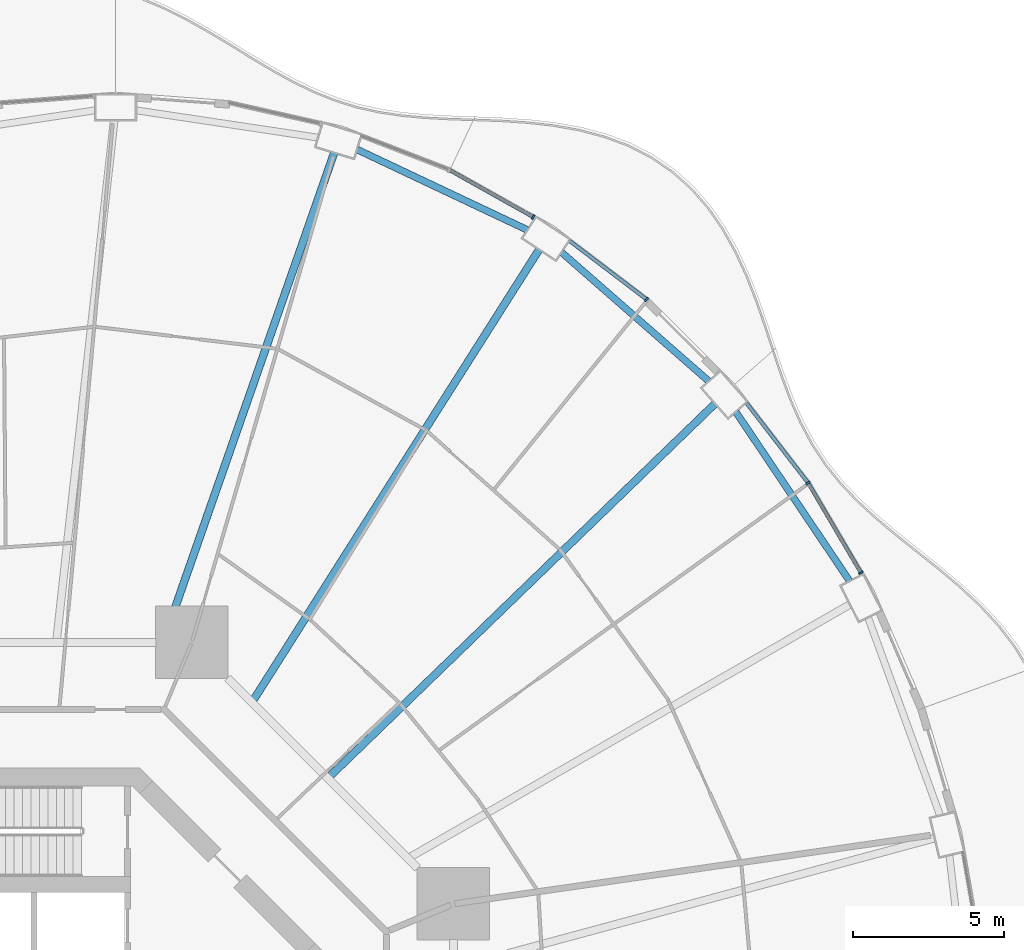
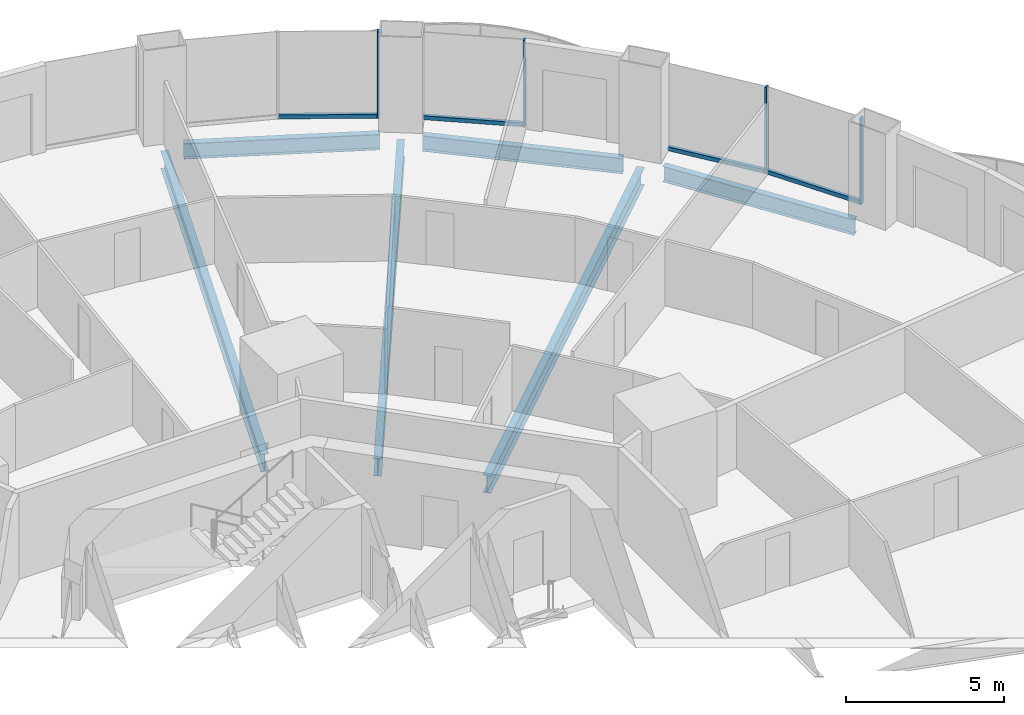
# One storey, part 10 of 22: 8 members, 6 beams, 4 elements without a shape of their own.
"""IFC4 building model written with IfcOpenShell, lengths in metres."""

from ifc_helpers import new_model, si_unit, direction, frame, origin, origin_2d, place, context, subcontext, project, spatial, rectangle, i_section, extrude, material, layer, layer_set, material_profile, profile_set, type_object, element, aggregate, save


model = new_model("IFC4")

# Units and contexts
model_context = context("Model", 3, precision=1e-05, world=origin(), true_north=direction((0.0, 1.0)))
body_context = subcontext(model_context, "Body", "Model", "MODEL_VIEW")
ifc_project = project(units=[si_unit("LENGTHUNIT", "METRE"), si_unit("AREAUNIT", "SQUARE_METRE"), si_unit("VOLUMEUNIT", "CUBIC_METRE"), si_unit("PLANEANGLEUNIT", "RADIAN"), si_unit("MASSUNIT", "GRAM", prefix="KILO")], contexts=[model_context])

# Site, building, storey
site_placement = place(None, origin())
site = spatial("IfcSite", under=ifc_project, at=site_placement, CompositionType="ELEMENT")
building_placement = place(site_placement, origin())
building = spatial("IfcBuilding", under=site, at=building_placement, Name="Nagisa Residences", CompositionType="ELEMENT")
storey_placement = place(building_placement, frame((0.0, 0.0, 64.0)))
storey = spatial("IfcBuildingStorey", under=building, at=storey_placement, Name="L15", CompositionType="ELEMENT", Elevation=64.0)

# Curtain wall, member
ifc_material_1 = material(Name="Concrete-coloured aluminium curtain wall system", Category="concrete")
ifc_layer = layer(ifc_material_1, 0.159912109375)
ifc_layer_set = layer_set([ifc_layer], Name="CW1 CURTAIN WALL")
curtain_wall_type = type_object("IfcCurtainWallType", Name="CW1 CURTAIN WALL", PredefinedType="NOTDEFINED", material=ifc_layer_set)
curtain_wall_1_placement = place(storey_placement, origin())
curtain_wall_1 = element("IfcCurtainWall", 1, at=curtain_wall_1_placement, inside=storey, type_object=curtain_wall_type, Name="cw:CW1:L15:04", PredefinedType="NOTDEFINED")
ifc_material_2 = material(Name="Concrete-coloured aluminium", Category="concrete")
ifc_material_profile_1 = material_profile(ifc_material_2, rectangle(XDim=0.159912109375, YDim=0.06005859375, at=origin_2d()), Name="CW1 MULLION 160x60")
ifc_profile_set_1 = profile_set([ifc_material_profile_1], Name="Concrete-coloured aluminium")
member_type_1 = type_object("IfcMemberType", Name="CW1 MULLION 160x60", PredefinedType="MULLION", material=ifc_profile_set_1)
member_1_placement = place(storey_placement, frame((28.276123046875, 17.089111328125, 0.0), z_axis=(0.0, 0.0, 1.0), x_axis=(-0.862328898214, -0.506348567002, 0.0)))
member_1 = element("IfcMember", 2, at=member_1_placement, type_object=member_type_1, Name="CW1 mullion", PredefinedType="MULLION", context=body_context, shape_type="SweptSolid", body=[
    extrude(rectangle(XDim=0.159912109375, YDim=0.06005859375, at=origin_2d()), origin(), (0.0, 0.0, 1.0), 3.35009765625),
])

curtain_wall_2_placement = place(storey_placement, origin())
curtain_wall_2 = element("IfcCurtainWall", 3, at=curtain_wall_2_placement, inside=storey, type_object=curtain_wall_type, Name="cw:CW1:L15:05", PredefinedType="NOTDEFINED")
member_2_placement = place(storey_placement, frame((26.525634765625, 20.06396484375, 0.0), z_axis=(0.0, 0.0, 1.0), x_axis=(-0.792070340816, -0.610429828235, 0.0)))
member_2 = element("IfcMember", 4, at=member_2_placement, type_object=member_type_1, Name="CW1 mullion", PredefinedType="MULLION", context=body_context, shape_type="SweptSolid", body=[
    extrude(rectangle(XDim=0.159912109375, YDim=0.06005859375, at=origin_2d()), origin(), (0.0, 0.0, 1.0), 3.35009765625),
])

curtain_wall_3_placement = place(storey_placement, origin())
curtain_wall_3 = element("IfcCurtainWall", 5, at=curtain_wall_3_placement, inside=storey, type_object=curtain_wall_type, Name="cw:CW1:L15:07", PredefinedType="NOTDEFINED")
member_3_placement = place(storey_placement, frame((21.181884765625, 26.13525390625, 0.0), z_axis=(0.0, 0.0, 1.0), x_axis=(-0.605255421737, -0.79603132756, 0.0)))
member_3 = element("IfcMember", 6, at=member_3_placement, type_object=member_type_1, Name="CW1 mullion", PredefinedType="MULLION", context=body_context, shape_type="SweptSolid", body=[
    extrude(rectangle(XDim=0.159912109375, YDim=0.06005859375, at=origin_2d()), origin(), (0.0, 0.0, 1.0), 3.35009765625),
])

curtain_wall_4_placement = place(storey_placement, origin())
curtain_wall_4 = element("IfcCurtainWall", 7, at=curtain_wall_4_placement, inside=storey, type_object=curtain_wall_type, Name="cw:CW1:L15:08", PredefinedType="NOTDEFINED")
member_4_placement = place(storey_placement, frame((17.42431640625, 28.8662109375, 0.0), z_axis=(0.0, 0.0, 1.0), x_axis=(-0.489376918501, -0.872072377523, 0.0)))
member_4 = element("IfcMember", 8, at=member_4_placement, type_object=member_type_1, Name="CW1 mullion", PredefinedType="MULLION", context=body_context, shape_type="SweptSolid", body=[
    extrude(rectangle(XDim=0.159912109375, YDim=0.06005859375, at=origin_2d()), origin(), (0.0, 0.0, 1.0), 3.35009765625),
])

# Member
ifc_material_3 = material(Name="Concrete-coloured aluminium", Category="concrete")
ifc_material_profile_2 = material_profile(ifc_material_3, rectangle(XDim=0.1201171875, YDim=0.14990234375, at=origin_2d()), Name="CW1 TRANSOM 120x150")
ifc_profile_set_2 = profile_set([ifc_material_profile_2], Name="Concrete-coloured aluminium")
member_type_2 = type_object("IfcMemberType", Name="CW1 TRANSOM 120x150", PredefinedType="USERDEFINED", material=ifc_profile_set_2)
member_5_placement = place(storey_placement, frame((28.291259765625, 17.063232421875, 0.074951171875), z_axis=(-0.506341951316, 0.862332782827, 0.0), x_axis=(-0.862332782827, -0.506341951316, 0.0)))
member_5 = element("IfcMember", 9, at=member_5_placement, type_object=member_type_2, Name="CW1 transom", ObjectType="TRANSOM", PredefinedType="USERDEFINED", context=body_context, shape_type="SweptSolid", body=[
    extrude(rectangle(XDim=0.1201171875, YDim=0.14990234375, at=origin_2d()), origin(), (0.0, 0.0, 1.0), 3.4619140625),
])

aggregate(curtain_wall_1, [member_1, member_5])

member_6_placement = place(storey_placement, frame((26.5439453125, 20.040283203125, 0.074951171875), z_axis=(-0.610457147657, 0.792049285635, 0.0), x_axis=(-0.792049285635, -0.610457147657, 0.0)))
member_6 = element("IfcMember", 10, at=member_6_placement, type_object=member_type_2, Name="CW1 transom", ObjectType="TRANSOM", PredefinedType="USERDEFINED", context=body_context, shape_type="SweptSolid", body=[
    extrude(rectangle(XDim=0.1201171875, YDim=0.14990234375, at=origin_2d()), origin(), (0.0, 0.0, 1.0), 3.3974609375),
])

aggregate(curtain_wall_2, [member_2, member_6])

member_7_placement = place(storey_placement, frame((21.20556640625, 26.116943359375, 0.074951171875), z_axis=(-0.79599487499, 0.605303361125, 0.0), x_axis=(-0.605303361125, -0.79599487499, 0.0)))
member_7 = element("IfcMember", 11, at=member_7_placement, type_object=member_type_2, Name="CW1 transom", ObjectType="TRANSOM", PredefinedType="USERDEFINED", context=body_context, shape_type="SweptSolid", body=[
    extrude(rectangle(XDim=0.1201171875, YDim=0.14990234375, at=origin_2d()), origin(), (0.0, 0.0, 1.0), 3.26220703125),
])

aggregate(curtain_wall_3, [member_3, member_7])

member_8_placement = place(storey_placement, frame((17.450439453125, 28.8515625, 0.074951171875), z_axis=(-0.872070011948, 0.489381133946, 0.0), x_axis=(-0.489381133946, -0.872070011948, 0.0)))
member_8 = element("IfcMember", 12, at=member_8_placement, type_object=member_type_2, Name="CW1 transom", ObjectType="TRANSOM", PredefinedType="USERDEFINED", context=body_context, shape_type="SweptSolid", body=[
    extrude(rectangle(XDim=0.1201171875, YDim=0.14990234375, at=origin_2d()), origin(), (0.0, 0.0, 1.0), 3.201171875),
])

aggregate(curtain_wall_4, [member_4, member_8])

# Beams
ifc_material_4 = material(Name="Steel ASTM A572 Gr 50", Category="steel")
ifc_material_profile_3 = material_profile(ifc_material_4, i_section(OverallWidth=0.22802734375, OverallDepth=0.60302734375, WebThickness=0.010498046875, FlangeThickness=0.014892578125, at=origin_2d()), Name="W610x101")
ifc_profile_set_3 = profile_set([ifc_material_profile_3], Name="Steel ASTM A572 Gr 50")
beam_type_1 = type_object("IfcBeamType", Name="Perimeter ring beam W610x101", PredefinedType="BEAM", material=ifc_profile_set_3)
beam_1_placement = place(storey_placement, frame((27.899169921875, 16.818603515625, -0.5615234375), z_axis=(-0.558271879663, 0.829658067144, 0.0), x_axis=(-0.829658067144, -0.558271879663, 0.0)))
element("IfcBeam", 13, at=beam_1_placement, inside=storey, type_object=beam_type_1, Name="beam:L15:pb03", PredefinedType="BEAM", context=body_context, shape_type="SweptSolid", body=[
    extrude(i_section(OverallWidth=0.22802734375, OverallDepth=0.60302734375, WebThickness=0.010498046875, FlangeThickness=0.014892578125, at=origin_2d()), origin(), (0.0, 0.0, 1.0), 6.74169921875),
])
beam_2_placement = place(storey_placement, frame((23.236328125, 23.432861328125, -0.5615234375), z_axis=(-0.7525907186, 0.658488580217, 0.0), x_axis=(-0.658488580217, -0.7525907186, 0.0)))
element("IfcBeam", 14, at=beam_2_placement, inside=storey, type_object=beam_type_1, Name="beam:L15:pb04", PredefinedType="BEAM", context=body_context, shape_type="SweptSolid", body=[
    extrude(i_section(OverallWidth=0.22802734375, OverallDepth=0.60302734375, WebThickness=0.010498046875, FlangeThickness=0.014892578125, at=origin_2d()), origin(), (0.0, 0.0, 1.0), 6.470458984375),
])
beam_3_placement = place(storey_placement, frame((17.22900390625, 28.439208984375, -0.5615234375), z_axis=(-0.904215426643, 0.427076646774, 0.0), x_axis=(-0.427076646774, -0.904215426643, 0.0)))
element("IfcBeam", 15, at=beam_3_placement, inside=storey, type_object=beam_type_1, Name="beam:L15:pb05", PredefinedType="BEAM", context=body_context, shape_type="SweptSolid", body=[
    extrude(i_section(OverallWidth=0.22802734375, OverallDepth=0.60302734375, WebThickness=0.010498046875, FlangeThickness=0.014892578125, at=origin_2d()), origin(), (0.0, 0.0, 1.0), 6.2275390625),
])
ifc_material_5 = material(Name="Steel ASTM A572 Gr 50", Category="steel")
ifc_material_profile_4 = material_profile(ifc_material_5, i_section(OverallWidth=0.25390625, OverallDepth=0.68408203125, WebThickness=0.012451171875, FlangeThickness=0.018798828125, at=origin_2d()), Name="W690x140")
ifc_profile_set_4 = profile_set([ifc_material_profile_4], Name="Steel ASTM A572 Gr 50")
beam_type_2 = type_object("IfcBeamType", Name="Radial beam W690x140", PredefinedType="BEAM", material=ifc_profile_set_4)
beam_4_placement = place(storey_placement, frame((23.443115234375, 22.681640625, -0.60205078125), z_axis=(-0.718678305776, -0.695342716081, 0.0), x_axis=(0.695342716081, -0.718678305776, 0.0)))
element("IfcBeam", 16, at=beam_4_placement, inside=storey, type_object=beam_type_2, Name="beam:L15:rb04", PredefinedType="BEAM", context=body_context, shape_type="SweptSolid", body=[
    extrude(i_section(OverallWidth=0.25390625, OverallDepth=0.68408203125, WebThickness=0.012451171875, FlangeThickness=0.018798828125, at=origin_2d()), origin(), (0.0, 0.0, 1.0), 17.722900390625),
])
beam_5_placement = place(storey_placement, frame((17.61962890625, 27.78271484375, -0.60205078125), z_axis=(-0.53556610664, -0.844493306911, 0.0), x_axis=(0.844493306911, -0.53556610664, 0.0)))
element("IfcBeam", 17, at=beam_5_placement, inside=storey, type_object=beam_type_2, Name="beam:L15:rb05", PredefinedType="BEAM", context=body_context, shape_type="SweptSolid", body=[
    extrude(i_section(OverallWidth=0.25390625, OverallDepth=0.68408203125, WebThickness=0.012451171875, FlangeThickness=0.018798828125, at=origin_2d()), origin(), (0.0, 0.0, 1.0), 17.63525390625),
])
beam_6_placement = place(storey_placement, frame((10.834228515625, 30.986328125, -0.60205078125), z_axis=(-0.330051195485, -0.943963033364, 0.0), x_axis=(0.943963033364, -0.330051195485, 0.0)))
element("IfcBeam", 18, at=beam_6_placement, inside=storey, type_object=beam_type_2, Name="beam:L15:rb06", PredefinedType="BEAM", context=body_context, shape_type="SweptSolid", body=[
    extrude(i_section(OverallWidth=0.25390625, OverallDepth=0.68408203125, WebThickness=0.012451171875, FlangeThickness=0.018798828125, at=origin_2d()), origin(), (0.0, 0.0, 1.0), 17.045654296875),
])

save(model, "model.ifc")
